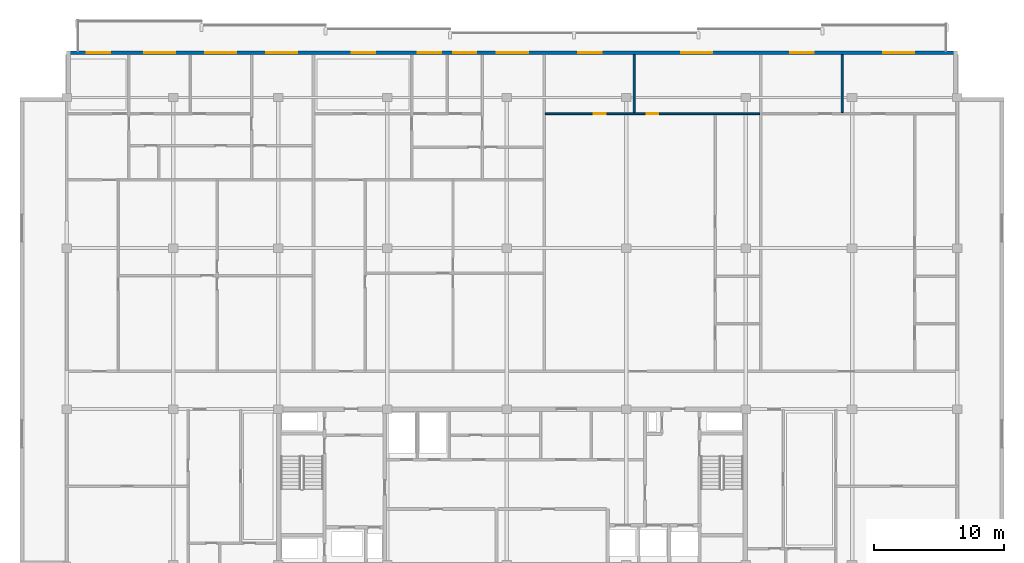
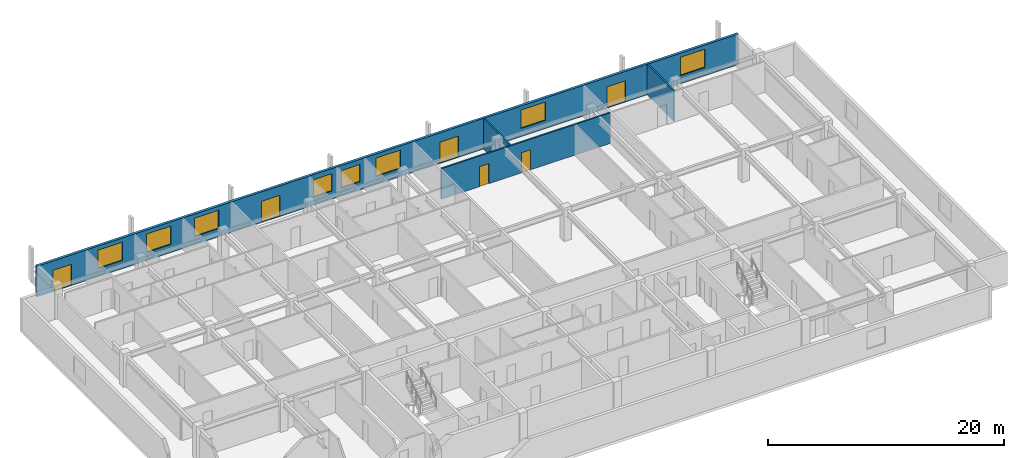
# One storey, part 8 of 11: 8 windows, 6 doors, 4 walls, 14 openings.
"""IFC4 building model written with IfcOpenShell, lengths in metres."""

import ifcopenshell
import ifcopenshell.guid

model = None  # the IFC model being written
_history = None  # IfcOwnerHistory: only IFC2X3 demands one
_inside = {}  # id of a spatial element -> (the spatial element, [elements in it])
_under = {}  # id of a project, library or spatial element -> (it, [spatial elements below it])
_declared = {}  # id of a project -> (the project, [libraries it declares])
_typed = {}  # id of a type object -> (the type object, [elements of that type])
_made_of = {}  # id of a material, layer set ... -> (it, [elements and type objects made of it])


def new_model(schema):
    """Start an empty IFC model of exactly this schema.

    Asked for "IFC4X3", IfcOpenShell would pick the latest addendum, in which some entities
    have other attributes; the version numbers below select the first issue.
    IFC2X3 requires an IfcOwnerHistory on every rooted entity: one is made here for all.
    """
    global model, _history
    if schema == "IFC4X3":
        model = ifcopenshell.file(schema_version=(4, 3, 0, 0))
    else:
        model = ifcopenshell.file(schema=schema)
    _inside.clear()
    _under.clear()
    _declared.clear()
    _typed.clear()
    _made_of.clear()
    _history = None
    if model.schema == "IFC2X3":
        org = make("IfcOrganization", Name="unknown")
        user = make(
            "IfcPersonAndOrganization",
            ThePerson=make("IfcPerson", FamilyName="unknown"),
            TheOrganization=org,
        )
        app = make(
            "IfcApplication",
            ApplicationDeveloper=org,
            Version="unknown",
            ApplicationFullName="unknown",
            ApplicationIdentifier="unknown",
        )
        _history = make(
            "IfcOwnerHistory",
            OwningUser=user,
            OwningApplication=app,
            ChangeAction="ADDED",
            CreationDate=0,
        )
    return model


def make(cls, **values):
    """One entity of the class cls with the attributes given. An attribute that is None is left unset."""
    return model.create_entity(
        cls, **{name: value for name, value in values.items() if value is not None}
    )


def rooted(cls, **values):
    """An entity with a GlobalId (a new one), such as an element, a storey or a relation."""
    return make(cls, GlobalId=ifcopenshell.guid.new(), OwnerHistory=_history, **values)


def si_unit(unit_type, name, prefix=None):
    """IfcSIUnit, for example si_unit("LENGTHUNIT", "METRE", prefix="MILLI")."""
    return make("IfcSIUnit", UnitType=unit_type, Prefix=prefix, Name=name)


def assignment(units):
    """IfcUnitAssignment: the units of a project."""
    return None if units is None else make("IfcUnitAssignment", Units=units)


def point(xyz):
    """IfcCartesianPoint."""
    return None if xyz is None else make("IfcCartesianPoint", Coordinates=xyz)


def direction(xyz):
    """IfcDirection."""
    return None if xyz is None else make("IfcDirection", DirectionRatios=xyz)


def frame(location, z_axis=None, x_axis=None):
    """IfcAxis2Placement3D, a coordinate frame: its origin and axes. An axis left out is left unset."""
    return make(
        "IfcAxis2Placement3D",
        Location=point(location),
        Axis=direction(z_axis),
        RefDirection=direction(x_axis),
    )


def frame_2d(location, x_axis=None):
    """IfcAxis2Placement2D, a coordinate frame in the plane: its origin and x axis."""
    return make(
        "IfcAxis2Placement2D", Location=point(location), RefDirection=direction(x_axis)
    )


def origin():
    """The frame at (0, 0, 0) with its axes left unset."""
    return frame((0.0, 0.0, 0.0))


def place(relative_to, where):
    """IfcLocalPlacement: puts the frame where relative to a parent placement (None: the world)."""
    return make(
        "IfcLocalPlacement", PlacementRelTo=relative_to, RelativePlacement=where
    )


def context(
    kind, dimensions, precision=None, world=None, true_north=None, identifier=None
):
    """IfcGeometricRepresentationContext, for example the 3D "Model" context."""
    return make(
        "IfcGeometricRepresentationContext",
        ContextIdentifier=identifier,
        ContextType=kind,
        CoordinateSpaceDimension=dimensions,
        Precision=precision,
        WorldCoordinateSystem=world,
        TrueNorth=true_north,
    )


def subcontext(parent, identifier, kind, view, scale=None):
    """IfcGeometricRepresentationSubContext, for example "Body" below "Model"."""
    return make(
        "IfcGeometricRepresentationSubContext",
        ContextIdentifier=identifier,
        ContextType=kind,
        ParentContext=parent,
        TargetScale=scale,
        TargetView=view,
    )


def project(units=None, contexts=None):
    """IfcProject with its units and contexts."""
    return rooted(
        "IfcProject",
        Name="project",
        RepresentationContexts=contexts,
        UnitsInContext=assignment(units),
    )


def spatial(cls, under=None, at=None, **own):
    """A site, building, storey or space (cls), placed at a placement, below another one or the project."""
    s = rooted(cls, ObjectPlacement=at, **own)
    if under is not None:
        _under.setdefault(under.id(), (under, []))[1].append(s)
    return s


def profile(cls, at=None, kind="AREA", **sizes):
    """A parametric profile (cls). Its sizes go by their IFC names, for example OverallWidth=200.0."""
    return make(cls, ProfileType=kind, Position=at, **sizes)


def rectangle(**sizes):
    """IfcRectangleProfileDef."""
    return profile("IfcRectangleProfileDef", **sizes)


def extrude(swept, where, along, depth):
    """IfcExtrudedAreaSolid: the profile swept, set in the frame where, extruded along a direction by depth."""
    return make(
        "IfcExtrudedAreaSolid",
        SweptArea=swept,
        Position=where,
        ExtrudedDirection=direction(along),
        Depth=depth,
    )


def shape(context_of_items, identifier, shape_type, items):
    """IfcShapeRepresentation: the items that make up one representation, for example the "Body"."""
    return make(
        "IfcShapeRepresentation",
        ContextOfItems=context_of_items,
        RepresentationIdentifier=identifier,
        RepresentationType=shape_type,
        Items=items,
    )


def material(Name=None, Category=None):
    """IfcMaterial."""
    return make("IfcMaterial", Name=Name, Category=Category)


def layer(
    of_material, thickness, ventilated=None, Name=None, Category=None, Priority=None
):
    """IfcMaterialLayer: one layer of a wall or slab, of a material (None: an air gap)."""
    return make(
        "IfcMaterialLayer",
        Material=of_material,
        LayerThickness=thickness,
        IsVentilated=ventilated,
        Name=Name,
        Category=Category,
        Priority=Priority,
    )


def layer_set(layers, Name=None):
    """IfcMaterialLayerSet."""
    return make("IfcMaterialLayerSet", MaterialLayers=layers, LayerSetName=Name)


def made_of(thing, what):
    """Note that an element or type object is made of a material, layer set ...; save() writes the relation."""
    if what is not None:
        _made_of.setdefault(what.id(), (what, []))[1].append(thing)
    return thing


def type_object(cls, material=None, **own):
    """A type object (cls), such as IfcWallType, which elements share."""
    return made_of(rooted(cls, **own), material)


def element(
    cls,
    number,
    at=None,
    inside=None,
    cuts=None,
    type_object=None,
    material=None,
    context=None,
    identifier="Body",
    shape_type=None,
    held_by="IfcProductDefinitionShape",
    body=None,
    shapes=None,
    **own,
):
    """One element of the class cls, such as IfcWall. Its Tag is "e" and its number.

    at: its placement. inside: the storey or other place that contains it. cuts: it is an
    opening in that element (IfcRelVoidsElement). A single representation is given by context,
    identifier, shape_type and body (its items); several are given by shapes. held_by: the class
    of the entity that holds the representations. save() writes the other relations.
    """
    e = rooted(cls, Tag="e%d" % number, ObjectPlacement=at, **own)
    if body is not None:
        shapes = [shape(context, identifier, shape_type, body)]
    if shapes is not None:
        e.Representation = make(held_by, Representations=shapes)
    if inside is not None:
        _inside.setdefault(inside.id(), (inside, []))[1].append(e)
    if cuts is not None:
        rooted(
            "IfcRelVoidsElement", RelatingBuildingElement=cuts, RelatedOpeningElement=e
        )
    if type_object is not None:
        _typed.setdefault(type_object.id(), (type_object, []))[1].append(e)
    return made_of(e, material)


def fill(opening, filler):
    """IfcRelFillsElement: the door or window that sits in an opening."""
    return rooted(
        "IfcRelFillsElement",
        RelatingOpeningElement=opening,
        RelatedBuildingElement=filler,
    )


def aggregate(whole, parts):
    """IfcRelAggregates: a whole, such as a stair, and the parts it consists of."""
    return rooted("IfcRelAggregates", RelatingObject=whole, RelatedObjects=parts)


def save(model, path):
    """Write the relations noted so far, then the file.

    IfcRelAggregates (storeys below a building ...), IfcRelContainedInSpatialStructure (elements
    in a storey), IfcRelDefinesByType, IfcRelAssociatesMaterial and IfcRelDeclares: one each for
    every whole, place, type object, material and project.
    """
    for whole, parts in _under.values():
        aggregate(whole, parts)
    for where, things in _inside.values():
        rooted(
            "IfcRelContainedInSpatialStructure",
            RelatedElements=things,
            RelatingStructure=where,
        )
    for kind, things in _typed.values():
        rooted("IfcRelDefinesByType", RelatedObjects=things, RelatingType=kind)
    for what, things in _made_of.values():
        rooted("IfcRelAssociatesMaterial", RelatedObjects=things, RelatingMaterial=what)
    for by, libraries in _declared.values():
        rooted("IfcRelDeclares", RelatingContext=by, RelatedDefinitions=libraries)
    model.write(path)


model = new_model("IFC4")

# Units and contexts
model_context = context("Model", 3, precision=1e-05, world=origin(), true_north=direction((0.0, 1.0)))
body_context = subcontext(model_context, "Body", "Model", "MODEL_VIEW")
ifc_project = project(units=[si_unit("LENGTHUNIT", "METRE"), si_unit("AREAUNIT", "SQUARE_METRE"), si_unit("VOLUMEUNIT", "CUBIC_METRE"), si_unit("PLANEANGLEUNIT", "RADIAN"), si_unit("MASSUNIT", "GRAM", prefix="KILO")], contexts=[model_context])

# Site, building, storey
site_placement = place(None, origin())
site = spatial("IfcSite", under=ifc_project, at=site_placement, CompositionType="ELEMENT")
building_placement = place(site_placement, origin())
building = spatial("IfcBuilding", under=site, at=building_placement, Name="Korimba Cascade Residences", CompositionType="ELEMENT")
storey_placement = place(building_placement, frame((0.0, 0.0, 256.25)))
storey = spatial("IfcBuildingStorey", under=building, at=storey_placement, Name="L74", CompositionType="ELEMENT", Elevation=256.25)

# Wall, openings, doors, windows
ifc_material_1 = material(Name="Precast concrete C40/50", Category="concrete")
ifc_layer_1 = layer(ifc_material_1, 0.25)
ifc_layer_set_1 = layer_set([ifc_layer_1], Name="Precast concrete C40/50")
wall_type_1 = type_object("IfcWallType", Name="EW-LOG-250", PredefinedType="STANDARD", material=ifc_layer_set_1)
wall_1_placement = place(storey_placement, frame((128.39990234375, 94.64990234375, 0.0), z_axis=(0.0, 0.0, 1.0), x_axis=(-1.0, 0.0, 0.0)))
wall_1 = element("IfcWall", 1, at=wall_1_placement, inside=storey, type_object=wall_type_1, Name="L74 T1 Perimeter Stone Wall E06", PredefinedType="STANDARD", context=body_context, shape_type="SweptSolid", body=[
    extrude(rectangle(XDim=68.599853515625, YDim=0.25, at=frame_2d((34.2998046875, 0.0))), origin(), (0.0, 0.0, 1.0), 3.169921875),
])
opening_1_placement = place(wall_1_placement, frame((60.247802734375, 0.0, 0.85009765625)))
opening_1 = element("IfcOpeningElement", 2, at=opening_1_placement, cuts=wall_1, Name="Opening W-01", PredefinedType="OPENING", context=body_context, shape_type="SweptSolid", body=[
    extrude(rectangle(XDim=2.39990234375, YDim=1.89990234375, at=frame_2d((1.199951171875, 0.949951171875))), frame((0.0, 0.135009765625, 0.0), z_axis=(0.0, -1.0, 0.0), x_axis=(1.0, 0.0, 0.0)), (0.0, 0.0, 1.0), 0.27001953125),
])
opening_2_placement = place(wall_1_placement, frame((55.523193359375, 0.0, 0.85009765625)))
opening_2 = element("IfcOpeningElement", 3, at=opening_2_placement, cuts=wall_1, Name="Opening W-01", PredefinedType="OPENING", context=body_context, shape_type="SweptSolid", body=[
    extrude(rectangle(XDim=2.39990234375, YDim=1.89990234375, at=frame_2d((1.199951171875, 0.949951171875))), frame((0.0, 0.135009765625, 0.0), z_axis=(0.0, -1.0, 0.0), x_axis=(1.0, 0.0, 0.0)), (0.0, 0.0, 1.0), 0.27001953125),
])
opening_3_placement = place(wall_1_placement, frame((65.2451171875, 0.0, 0.0)))
opening_3 = element("IfcOpeningElement", 4, at=opening_3_placement, cuts=wall_1, Name="Opening D-LG1", PredefinedType="OPENING", context=body_context, shape_type="SweptSolid", body=[
    extrude(rectangle(XDim=1.800048828125, YDim=2.199951171875, at=frame_2d((0.89990234375, 1.10009765625))), frame((0.0, 0.135009765625, 0.0), z_axis=(0.0, -1.0, 0.0), x_axis=(1.0, 0.0, 0.0)), (0.0, 0.0, 1.0), 0.27001953125),
])
opening_4_placement = place(wall_1_placement, frame((50.8359375, 0.0, 0.85009765625)))
opening_4 = element("IfcOpeningElement", 5, at=opening_4_placement, cuts=wall_1, Name="Opening W-01", PredefinedType="OPENING", context=body_context, shape_type="SweptSolid", body=[
    extrude(rectangle(XDim=2.39990234375, YDim=1.89990234375, at=frame_2d((1.199951171875, 0.949951171875))), frame((0.0, 0.135009765625, 0.0), z_axis=(0.0, -1.0, 0.0), x_axis=(1.0, 0.0, 0.0)), (0.0, 0.0, 1.0), 0.27001953125),
])
opening_5_placement = place(wall_1_placement, frame((39.760009765625, 0.0, 0.85009765625)))
opening_5 = element("IfcOpeningElement", 6, at=opening_5_placement, cuts=wall_1, Name="Opening W-02", PredefinedType="OPENING", context=body_context, shape_type="SweptSolid", body=[
    extrude(rectangle(XDim=1.800048828125, YDim=1.800048828125, at=frame_2d((0.89990234375, 0.89990234375))), frame((0.0, 0.135009765625, 0.0), z_axis=(0.0, -1.0, 0.0), x_axis=(1.0, 0.0, 0.0)), (0.0, 0.0, 1.0), 0.27001953125),
])
opening_6_placement = place(wall_1_placement, frame((37.0400390625, 0.0, 0.85009765625)))
opening_6 = element("IfcOpeningElement", 7, at=opening_6_placement, cuts=wall_1, Name="Opening W-02", PredefinedType="OPENING", context=body_context, shape_type="SweptSolid", body=[
    extrude(rectangle(XDim=1.800048828125, YDim=1.800048828125, at=frame_2d((0.89990234375, 0.89990234375))), frame((0.0, 0.135009765625, 0.0), z_axis=(0.0, -1.0, 0.0), x_axis=(1.0, 0.0, 0.0)), (0.0, 0.0, 1.0), 0.27001953125),
])
opening_7_placement = place(wall_1_placement, frame((44.845458984375, 0.0, 0.0)))
opening_7 = element("IfcOpeningElement", 8, at=opening_7_placement, cuts=wall_1, Name="Opening D-LG1", PredefinedType="OPENING", context=body_context, shape_type="SweptSolid", body=[
    extrude(rectangle(XDim=1.800048828125, YDim=2.199951171875, at=frame_2d((0.89990234375, 1.10009765625))), frame((0.0, 0.135009765625, 0.0), z_axis=(0.0, -1.0, 0.0), x_axis=(1.0, 0.0, 0.0)), (0.0, 0.0, 1.0), 0.27001953125),
])
opening_8_placement = place(wall_1_placement, frame((33.0556640625, 0.0, 0.85009765625)))
opening_8 = element("IfcOpeningElement", 9, at=opening_8_placement, cuts=wall_1, Name="Opening W-01", PredefinedType="OPENING", context=body_context, shape_type="SweptSolid", body=[
    extrude(rectangle(XDim=2.39990234375, YDim=1.89990234375, at=frame_2d((1.199951171875, 0.949951171875))), frame((0.0, 0.135009765625, 0.0), z_axis=(0.0, -1.0, 0.0), x_axis=(1.0, 0.0, 0.0)), (0.0, 0.0, 1.0), 0.27001953125),
])
opening_9_placement = place(wall_1_placement, frame((27.393798828125, 0.0, 0.0)))
opening_9 = element("IfcOpeningElement", 10, at=opening_9_placement, cuts=wall_1, Name="Opening D-LG1", PredefinedType="OPENING", context=body_context, shape_type="SweptSolid", body=[
    extrude(rectangle(XDim=1.800048828125, YDim=2.199951171875, at=frame_2d((0.89990234375, 1.10009765625))), frame((0.0, 0.135009765625, 0.0), z_axis=(0.0, -1.0, 0.0), x_axis=(1.0, 0.0, 0.0)), (0.0, 0.0, 1.0), 0.27001953125),
])
opening_10_placement = place(wall_1_placement, frame((18.878662109375, 0.0, 0.85009765625)))
opening_10 = element("IfcOpeningElement", 11, at=opening_10_placement, cuts=wall_1, Name="Opening W-01", PredefinedType="OPENING", context=body_context, shape_type="SweptSolid", body=[
    extrude(rectangle(XDim=2.39990234375, YDim=1.89990234375, at=frame_2d((1.199951171875, 0.949951171875))), frame((0.0, 0.135009765625, 0.0), z_axis=(0.0, -1.0, 0.0), x_axis=(1.0, 0.0, 0.0)), (0.0, 0.0, 1.0), 0.27001953125),
])
opening_11_placement = place(wall_1_placement, frame((11.048095703125, 0.0, 0.0)))
opening_11 = element("IfcOpeningElement", 12, at=opening_11_placement, cuts=wall_1, Name="Opening D-LG1", PredefinedType="OPENING", context=body_context, shape_type="SweptSolid", body=[
    extrude(rectangle(XDim=1.800048828125, YDim=2.199951171875, at=frame_2d((0.89990234375, 1.10009765625))), frame((0.0, 0.135009765625, 0.0), z_axis=(0.0, -1.0, 0.0), x_axis=(1.0, 0.0, 0.0)), (0.0, 0.0, 1.0), 0.27001953125),
])
opening_12_placement = place(wall_1_placement, frame((3.297607421875, 0.0, 0.85009765625)))
opening_12 = element("IfcOpeningElement", 13, at=opening_12_placement, cuts=wall_1, Name="Opening W-01", PredefinedType="OPENING", context=body_context, shape_type="SweptSolid", body=[
    extrude(rectangle(XDim=2.39990234375, YDim=1.89990234375, at=frame_2d((1.199951171875, 0.949951171875))), frame((0.0, 0.135009765625, 0.0), z_axis=(0.0, -1.0, 0.0), x_axis=(1.0, 0.0, 0.0)), (0.0, 0.0, 1.0), 0.27001953125),
])
ifc_material_2 = material(Name="Glazed Aluminium Loggia Sliding Door", Category="aluminium")
door_type_1 = type_object("IfcDoorType", Name="DR-EXT-LOG", OperationType="NOTDEFINED", PredefinedType="DOOR", material=ifc_material_2)
door_1_placement = place(opening_3_placement, origin())
door_1 = element("IfcDoor", 14, at=door_1_placement, inside=storey, type_object=door_type_1, Name="L74 T1 Loggia Sliding Door 5", OperationType="SLIDING_TO_LEFT", OverallHeight=2.199951171875, OverallWidth=1.800048828125, PredefinedType="DOOR", context=body_context, shape_type="SweptSolid", body=[
    extrude(rectangle(XDim=1.800048828125, YDim=2.199951171875, at=frame_2d((0.89990234375, 1.10009765625))), frame((0.0, 0.02490234375, 0.0), z_axis=(0.0, -1.0, 0.0), x_axis=(1.0, 0.0, 0.0)), (0.0, 0.0, 1.0), 0.050048828125),
])
fill(opening_3, door_1)
door_2_placement = place(opening_7_placement, origin())
door_2 = element("IfcDoor", 15, at=door_2_placement, inside=storey, type_object=door_type_1, Name="L74 T1 Loggia Sliding Door 9", OperationType="SLIDING_TO_LEFT", OverallHeight=2.199951171875, OverallWidth=1.800048828125, PredefinedType="DOOR", context=body_context, shape_type="SweptSolid", body=[
    extrude(rectangle(XDim=1.800048828125, YDim=2.199951171875, at=frame_2d((0.89990234375, 1.10009765625))), frame((0.0, 0.02490234375, 0.0), z_axis=(0.0, -1.0, 0.0), x_axis=(1.0, 0.0, 0.0)), (0.0, 0.0, 1.0), 0.050048828125),
])
fill(opening_7, door_2)
door_3_placement = place(opening_9_placement, origin())
door_3 = element("IfcDoor", 16, at=door_3_placement, inside=storey, type_object=door_type_1, Name="L74 T1 Loggia Sliding Door 11", OperationType="SLIDING_TO_LEFT", OverallHeight=2.199951171875, OverallWidth=1.800048828125, PredefinedType="DOOR", context=body_context, shape_type="SweptSolid", body=[
    extrude(rectangle(XDim=1.800048828125, YDim=2.199951171875, at=frame_2d((0.89990234375, 1.10009765625))), frame((0.0, 0.02490234375, 0.0), z_axis=(0.0, -1.0, 0.0), x_axis=(1.0, 0.0, 0.0)), (0.0, 0.0, 1.0), 0.050048828125),
])
fill(opening_9, door_3)
door_4_placement = place(opening_11_placement, origin())
door_4 = element("IfcDoor", 17, at=door_4_placement, inside=storey, type_object=door_type_1, Name="L74 T1 Loggia Sliding Door 13", OperationType="SLIDING_TO_LEFT", OverallHeight=2.199951171875, OverallWidth=1.800048828125, PredefinedType="DOOR", context=body_context, shape_type="SweptSolid", body=[
    extrude(rectangle(XDim=1.800048828125, YDim=2.199951171875, at=frame_2d((0.89990234375, 1.10009765625))), frame((0.0, 0.02490234375, 0.0), z_axis=(0.0, -1.0, 0.0), x_axis=(1.0, 0.0, 0.0)), (0.0, 0.0, 1.0), 0.050048828125),
])
fill(opening_11, door_4)
ifc_material_3 = material(Name="Double-Glazed Aluminium Window", Category="aluminium")
window_type_1 = type_object("IfcWindowType", Name="WIN-BED-1800", PartitioningType="SINGLE_PANEL", PredefinedType="WINDOW", material=ifc_material_3)
window_1_placement = place(opening_5_placement, origin())
window_1 = element("IfcWindow", 18, at=window_1_placement, inside=storey, type_object=window_type_1, Name="L74 T1 North Facade Window 7", OverallHeight=1.800048828125, OverallWidth=1.800048828125, PartitioningType="SINGLE_PANEL", PredefinedType="WINDOW", context=body_context, shape_type="SweptSolid", body=[
    extrude(rectangle(XDim=1.800048828125, YDim=1.800048828125, at=frame_2d((0.89990234375, 0.89990234375))), frame((0.0, 0.030029296875, 0.0), z_axis=(0.0, -1.0, 0.0), x_axis=(1.0, 0.0, 0.0)), (0.0, 0.0, 1.0), 0.06005859375),
])
fill(opening_5, window_1)
window_2_placement = place(opening_6_placement, origin())
window_2 = element("IfcWindow", 19, at=window_2_placement, inside=storey, type_object=window_type_1, Name="L74 T1 North Facade Window 8", OverallHeight=1.800048828125, OverallWidth=1.800048828125, PartitioningType="SINGLE_PANEL", PredefinedType="WINDOW", context=body_context, shape_type="SweptSolid", body=[
    extrude(rectangle(XDim=1.800048828125, YDim=1.800048828125, at=frame_2d((0.89990234375, 0.89990234375))), frame((0.0, 0.030029296875, 0.0), z_axis=(0.0, -1.0, 0.0), x_axis=(1.0, 0.0, 0.0)), (0.0, 0.0, 1.0), 0.06005859375),
])
fill(opening_6, window_2)
window_type_2 = type_object("IfcWindowType", Name="WIN-RES-2400", PartitioningType="DOUBLE_PANEL_VERTICAL", PredefinedType="WINDOW", material=ifc_material_3)
window_3_placement = place(opening_1_placement, origin())
window_3 = element("IfcWindow", 20, at=window_3_placement, inside=storey, type_object=window_type_2, Name="L74 T1 North Facade Window 3", OverallHeight=1.89990234375, OverallWidth=2.39990234375, PartitioningType="DOUBLE_PANEL_VERTICAL", PredefinedType="WINDOW", context=body_context, shape_type="SweptSolid", body=[
    extrude(rectangle(XDim=2.39990234375, YDim=1.89990234375, at=frame_2d((1.199951171875, 0.949951171875))), frame((0.0, 0.030029296875, 0.0), z_axis=(0.0, -1.0, 0.0), x_axis=(1.0, 0.0, 0.0)), (0.0, 0.0, 1.0), 0.06005859375),
])
fill(opening_1, window_3)
window_4_placement = place(opening_2_placement, origin())
window_4 = element("IfcWindow", 21, at=window_4_placement, inside=storey, type_object=window_type_2, Name="L74 T1 North Facade Window 4", OverallHeight=1.89990234375, OverallWidth=2.39990234375, PartitioningType="DOUBLE_PANEL_VERTICAL", PredefinedType="WINDOW", context=body_context, shape_type="SweptSolid", body=[
    extrude(rectangle(XDim=2.39990234375, YDim=1.89990234375, at=frame_2d((1.199951171875, 0.949951171875))), frame((0.0, 0.030029296875, 0.0), z_axis=(0.0, -1.0, 0.0), x_axis=(1.0, 0.0, 0.0)), (0.0, 0.0, 1.0), 0.06005859375),
])
fill(opening_2, window_4)
window_5_placement = place(opening_4_placement, origin())
window_5 = element("IfcWindow", 22, at=window_5_placement, inside=storey, type_object=window_type_2, Name="L74 T1 North Facade Window 6", OverallHeight=1.89990234375, OverallWidth=2.39990234375, PartitioningType="DOUBLE_PANEL_VERTICAL", PredefinedType="WINDOW", context=body_context, shape_type="SweptSolid", body=[
    extrude(rectangle(XDim=2.39990234375, YDim=1.89990234375, at=frame_2d((1.199951171875, 0.949951171875))), frame((0.0, 0.030029296875, 0.0), z_axis=(0.0, -1.0, 0.0), x_axis=(1.0, 0.0, 0.0)), (0.0, 0.0, 1.0), 0.06005859375),
])
fill(opening_4, window_5)
window_6_placement = place(opening_8_placement, origin())
window_6 = element("IfcWindow", 23, at=window_6_placement, inside=storey, type_object=window_type_2, Name="L74 T1 North Facade Window 10", OverallHeight=1.89990234375, OverallWidth=2.39990234375, PartitioningType="DOUBLE_PANEL_VERTICAL", PredefinedType="WINDOW", context=body_context, shape_type="SweptSolid", body=[
    extrude(rectangle(XDim=2.39990234375, YDim=1.89990234375, at=frame_2d((1.199951171875, 0.949951171875))), frame((0.0, 0.030029296875, 0.0), z_axis=(0.0, -1.0, 0.0), x_axis=(1.0, 0.0, 0.0)), (0.0, 0.0, 1.0), 0.06005859375),
])
fill(opening_8, window_6)
window_7_placement = place(opening_10_placement, origin())
window_7 = element("IfcWindow", 24, at=window_7_placement, inside=storey, type_object=window_type_2, Name="L74 T1 North Facade Window 12", OverallHeight=1.89990234375, OverallWidth=2.39990234375, PartitioningType="DOUBLE_PANEL_VERTICAL", PredefinedType="WINDOW", context=body_context, shape_type="SweptSolid", body=[
    extrude(rectangle(XDim=2.39990234375, YDim=1.89990234375, at=frame_2d((1.199951171875, 0.949951171875))), frame((0.0, 0.030029296875, 0.0), z_axis=(0.0, -1.0, 0.0), x_axis=(1.0, 0.0, 0.0)), (0.0, 0.0, 1.0), 0.06005859375),
])
fill(opening_10, window_7)
window_8_placement = place(opening_12_placement, origin())
window_8 = element("IfcWindow", 25, at=window_8_placement, inside=storey, type_object=window_type_2, Name="L74 T1 North Facade Window 14", OverallHeight=1.89990234375, OverallWidth=2.39990234375, PartitioningType="DOUBLE_PANEL_VERTICAL", PredefinedType="WINDOW", context=body_context, shape_type="SweptSolid", body=[
    extrude(rectangle(XDim=2.39990234375, YDim=1.89990234375, at=frame_2d((1.199951171875, 0.949951171875))), frame((0.0, 0.030029296875, 0.0), z_axis=(0.0, -1.0, 0.0), x_axis=(1.0, 0.0, 0.0)), (0.0, 0.0, 1.0), 0.06005859375),
])
fill(opening_12, window_8)

# Wall
ifc_material_4 = material(Name="Insulated Acoustic Stud Partition", Category="gypsum")
ifc_layer_2 = layer(ifc_material_4, 0.14990234375)
ifc_layer_set_2 = layer_set([ifc_layer_2], Name="Insulated Acoustic Stud Partition")
wall_type_2 = type_object("IfcWallType", Name="WAL-PART-150", PredefinedType="PARTITIONING", material=ifc_layer_set_2)
wall_2_placement = place(storey_placement, frame((103.50390625, 90.030029296875, 0.0), z_axis=(0.0, 0.0, 1.0), x_axis=(0.0, 1.0, 0.0)))
element("IfcWall", 26, at=wall_2_placement, inside=storey, type_object=wall_type_2, Name="L74 Partition Wall WAL-L74-T1-U03-OUTV", PredefinedType="PARTITIONING", context=body_context, shape_type="SweptSolid", body=[
    extrude(rectangle(XDim=4.469970703125, YDim=0.14990234375, at=frame_2d((2.23486328125, 0.0))), origin(), (0.0, 0.0, 1.0), 3.169921875),
])

# Wall, openings, doors
wall_3_placement = place(storey_placement, frame((96.668701171875, 89.949951171875, 0.0), z_axis=(0.0, 0.0, 1.0), x_axis=(1.0, 0.0, 0.0)))
wall_3 = element("IfcWall", 27, at=wall_3_placement, inside=storey, type_object=wall_type_2, Name="L74 Partition Wall WAL-L74-T1-U03-HZ", PredefinedType="PARTITIONING", context=body_context, shape_type="SweptSolid", body=[
    extrude(rectangle(XDim=16.510498046875, YDim=0.14990234375, at=frame_2d((8.25537109375, 0.0))), origin(), (0.0, 0.0, 1.0), 3.169921875),
])
opening_13_placement = place(wall_3_placement, frame((3.7158203125, 0.0, 0.0)))
opening_13 = element("IfcOpeningElement", 28, at=opening_13_placement, cuts=wall_3, Name="Opening D-ST1", PredefinedType="OPENING", context=body_context, shape_type="SweptSolid", body=[
    extrude(rectangle(XDim=0.919921875, YDim=2.080078125, at=frame_2d((0.4599609375, 1.0400390625))), frame((0.0, 0.0849609375, 0.0), z_axis=(0.0, -1.0, 0.0), x_axis=(1.0, 0.0, 0.0)), (0.0, 0.0, 1.0), 0.169921875),
])
opening_14_placement = place(wall_3_placement, frame((7.79541015625, 0.0, 0.0)))
opening_14 = element("IfcOpeningElement", 29, at=opening_14_placement, cuts=wall_3, Name="Opening D-ST1", PredefinedType="OPENING", context=body_context, shape_type="SweptSolid", body=[
    extrude(rectangle(XDim=0.919921875, YDim=2.080078125, at=frame_2d((0.4599609375, 1.0400390625))), frame((0.0, 0.0849609375, 0.0), z_axis=(0.0, -1.0, 0.0), x_axis=(1.0, 0.0, 0.0)), (0.0, 0.0, 1.0), 0.169921875),
])
ifc_material_5 = material(Name="Fire-Rated Core Store Door", Category="wood")
door_type_2 = type_object("IfcDoorType", Name="DR-FD60-920", OperationType="NOTDEFINED", PredefinedType="DOOR", material=ifc_material_5)
door_5_placement = place(opening_13_placement, origin())
door_5 = element("IfcDoor", 30, at=door_5_placement, inside=storey, type_object=door_type_2, Name="L74-T1-U03 Sky Lobby Concierge Door", OperationType="SINGLE_SWING_LEFT", OverallHeight=2.080078125, OverallWidth=0.919921875, PredefinedType="DOOR", context=body_context, shape_type="SweptSolid", body=[
    extrude(rectangle(XDim=0.919921875, YDim=2.080078125, at=frame_2d((0.4599609375, 1.0400390625))), frame((0.0, 0.02490234375, 0.0), z_axis=(0.0, -1.0, 0.0), x_axis=(1.0, 0.0, 0.0)), (0.0, 0.0, 1.0), 0.050048828125),
])
fill(opening_13, door_5)
door_6_placement = place(opening_14_placement, origin())
door_6 = element("IfcDoor", 31, at=door_6_placement, inside=storey, type_object=door_type_2, Name="L74-T1-U03 Horizon Observation Atrium Door", OperationType="SINGLE_SWING_RIGHT", OverallHeight=2.080078125, OverallWidth=0.919921875, PredefinedType="DOOR", context=body_context, shape_type="SweptSolid", body=[
    extrude(rectangle(XDim=0.919921875, YDim=2.080078125, at=frame_2d((0.4599609375, 1.0400390625))), frame((0.0, 0.02490234375, 0.0), z_axis=(0.0, -1.0, 0.0), x_axis=(1.0, 0.0, 0.0)), (0.0, 0.0, 1.0), 0.050048828125),
])
fill(opening_14, door_6)

# Wall
wall_4_placement = place(storey_placement, frame((119.5244140625, 90.030029296875, 0.0), z_axis=(0.0, 0.0, 1.0), x_axis=(0.0, 1.0, 0.0)))
element("IfcWall", 32, at=wall_4_placement, inside=storey, type_object=wall_type_2, Name="L74 Partition Wall WAL-L74-T1-U04-OUTV", PredefinedType="PARTITIONING", context=body_context, shape_type="SweptSolid", body=[
    extrude(rectangle(XDim=4.469970703125, YDim=0.14990234375, at=frame_2d((2.23486328125, 0.0))), origin(), (0.0, 0.0, 1.0), 3.169921875),
])

save(model, "model.ifc")
